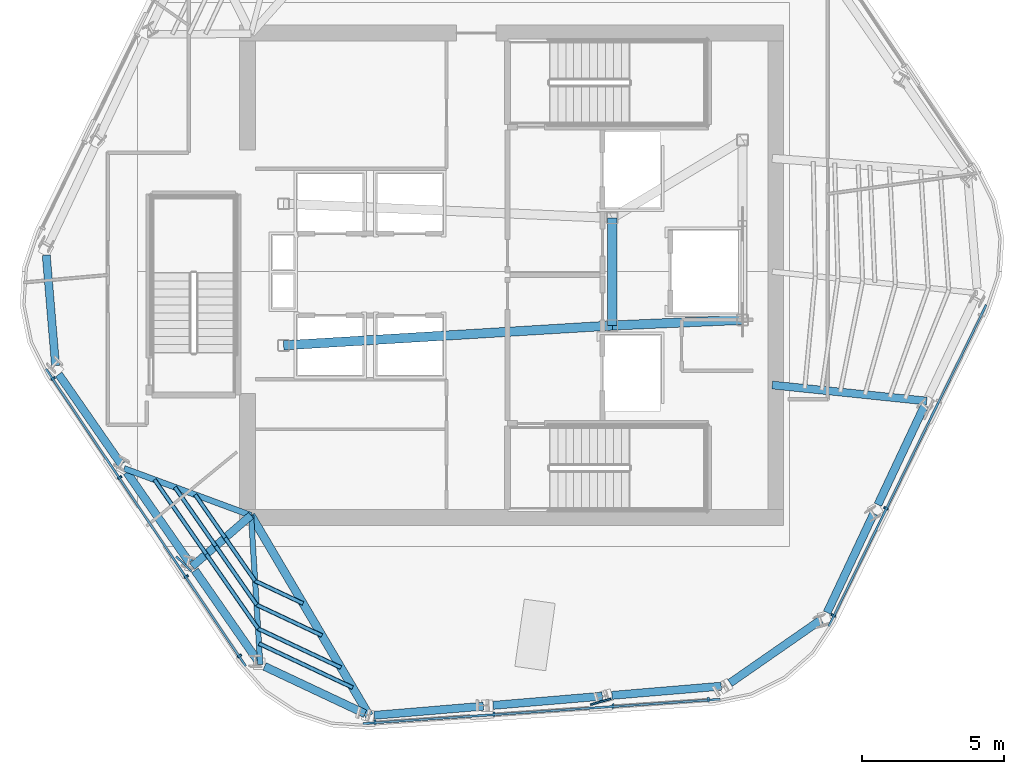
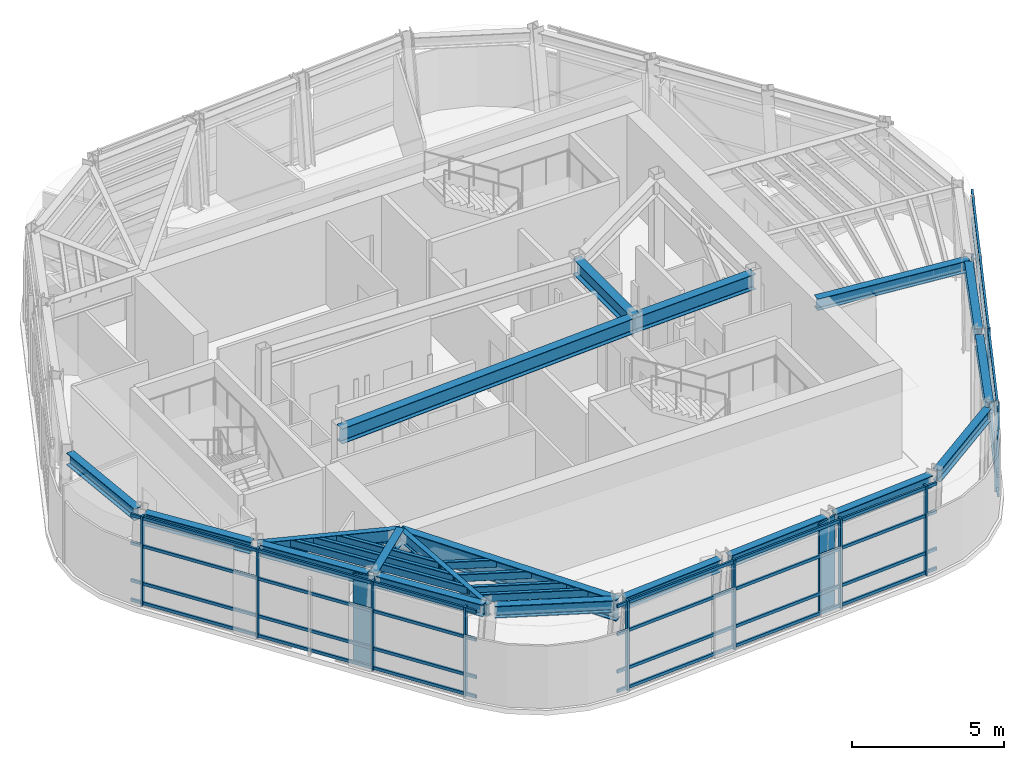
# One storey, part 2 of 14: 34 members, 19 beams, 3 elements without a shape of their own.
"""IFC4 building model written with IfcOpenShell, lengths in metres."""

from ifc_helpers import new_model, si_unit, direction, frame, origin, origin_2d, place, context, subcontext, project, spatial, rectangle, hollow_rectangle, i_section, extrude, material, layer, layer_set, material_profile, profile_set, type_object, element, aggregate, save


model = new_model("IFC4")

# Units and contexts
model_context = context("Model", 3, precision=1e-05, world=origin(), true_north=direction((0.0, 1.0)))
body_context = subcontext(model_context, "Body", "Model", "MODEL_VIEW")
ifc_project = project(units=[si_unit("LENGTHUNIT", "METRE"), si_unit("AREAUNIT", "SQUARE_METRE"), si_unit("VOLUMEUNIT", "CUBIC_METRE"), si_unit("PLANEANGLEUNIT", "RADIAN"), si_unit("MASSUNIT", "GRAM", prefix="KILO")], contexts=[model_context])

# Site, building, storey
site_placement = place(None, origin())
site = spatial("IfcSite", under=ifc_project, at=site_placement, CompositionType="ELEMENT")
building_placement = place(site_placement, origin())
building = spatial("IfcBuilding", under=site, at=building_placement, Name="Valkerne Bourse Tower", CompositionType="ELEMENT")
storey_placement = place(building_placement, frame((0.0, 0.0, 300.199951171875)))
storey = spatial("IfcBuildingStorey", under=building, at=storey_placement, Name="L76", CompositionType="ELEMENT", Elevation=300.199951171875)

# Beams
ifc_material_1 = material(Name="Steel ASTM A992", Category="steel")
ifc_material_profile_1 = material_profile(ifc_material_1, i_section(OverallWidth=0.284423828125, OverallDepth=0.47509765625, WebThickness=0.014892578125, FlangeThickness=0.02392578125, FilletRadius=0.017822265625, at=origin_2d()), Name="W18X106")
ifc_profile_set_1 = profile_set([ifc_material_profile_1], Name="Steel ASTM A992")
beam_type_1 = type_object("IfcBeamType", Name="BM-W18X106", PredefinedType="BEAM", material=ifc_profile_set_1)
beam_1_placement = place(storey_placement, frame((30.371826171875, 27.585205078125, 3.362548828125), z_axis=(0.08373690694, -0.996487897777, 0.0), x_axis=(0.996487897777, 0.08373690694, 0.0)))
element("IfcBeam", 1, at=beam_1_placement, inside=storey, type_object=beam_type_1, Name="L76 Hexagonal Spandrel Ring Beam 07", PredefinedType="BEAM", context=body_context, shape_type="SweptSolid", body=[
    extrude(i_section(OverallWidth=0.284423828125, OverallDepth=0.47509765625, WebThickness=0.014892578125, FlangeThickness=0.02392578125, FilletRadius=0.017822265625, at=origin_2d()), origin(), (0.0, 0.0, 1.0), 3.91552734375),
])
beam_2_placement = place(storey_placement, frame((30.810791015625, 23.374267578125, 3.362548828125), z_axis=(0.570704180479, -0.821155733332, 0.0), x_axis=(0.821155733332, 0.570704180479, 0.0)))
element("IfcBeam", 2, at=beam_2_placement, inside=storey, type_object=beam_type_1, Name="L76 Hexagonal Spandrel Ring Beam 08", PredefinedType="BEAM", context=body_context, shape_type="SweptSolid", body=[
    extrude(i_section(OverallWidth=0.284423828125, OverallDepth=0.47509765625, WebThickness=0.014892578125, FlangeThickness=0.02392578125, FilletRadius=0.017822265625, at=origin_2d()), origin(), (0.0, 0.0, 1.0), 3.871826171875),
])
for number, where, z_axis, x_axis, name in (
    (3, (33.214599609375, 19.91552734375, 3.362548828125), (0.570746695472, -0.821126183731, 0.0), (0.821126183731, 0.570746695472, 0.0), "L76 Hexagonal Spandrel Ring Beam 09"),
    (4, (35.618408203125, 16.456787109375, 3.362548828125), (0.570746695472, -0.821126183731, 0.0), (0.821126183731, 0.570746695472, 0.0), "L76 Hexagonal Spandrel Ring Beam 10"),
):
    element("IfcBeam", number, at=place(storey_placement, frame(where, z_axis=z_axis, x_axis=x_axis)), inside=storey, type_object=beam_type_1, Name=name, PredefinedType="BEAM", context=body_context, shape_type="SweptSolid", body=[
        extrude(i_section(OverallWidth=0.284423828125, OverallDepth=0.47509765625, WebThickness=0.014892578125, FlangeThickness=0.02392578125, FilletRadius=0.017822265625, at=origin_2d()), origin(), (0.0, 0.0, 1.0), 3.8720703125),
    ])
beam_3_placement = place(storey_placement, frame((38.0791015625, 13.0654296875, 3.362548828125), z_axis=(0.90483424406, -0.425764008316, 0.0), x_axis=(0.425764008316, 0.90483424406, 0.0)))
element("IfcBeam", 5, at=beam_3_placement, inside=storey, type_object=beam_type_1, Name="L76 Hexagonal Spandrel Ring Beam 11", PredefinedType="BEAM", context=body_context, shape_type="SweptSolid", body=[
    extrude(i_section(OverallWidth=0.284423828125, OverallDepth=0.47509765625, WebThickness=0.014892578125, FlangeThickness=0.02392578125, FilletRadius=0.017822265625, at=origin_2d()), origin(), (0.0, 0.0, 1.0), 3.915771484375),
])
for number, where, z_axis, x_axis, name in (
    (6, (41.9453125, 11.340087890625, 3.362548828125), (0.996493379522, 0.083671647344, 0.0), (-0.083671647344, 0.996493379522, 0.0), "L76 Hexagonal Spandrel Ring Beam 12"),
    (7, (46.142578125, 11.6923828125, 3.362548828125), (0.996488120314, 0.083734258655, 0.0), (-0.083734258655, 0.996488120314, 0.0), "L76 Hexagonal Spandrel Ring Beam 13"),
    (8, (50.33984375, 12.044921875, 3.362548828125), (0.996493379522, 0.083671647344, 0.0), (-0.083671647344, 0.996493379522, 0.0), "L76 Hexagonal Spandrel Ring Beam 14"),
):
    element("IfcBeam", number, at=place(storey_placement, frame(where, z_axis=z_axis, x_axis=x_axis)), inside=storey, type_object=beam_type_1, Name=name, PredefinedType="BEAM", context=body_context, shape_type="SweptSolid", body=[
        extrude(i_section(OverallWidth=0.284423828125, OverallDepth=0.47509765625, WebThickness=0.014892578125, FlangeThickness=0.02392578125, FilletRadius=0.017822265625, at=origin_2d()), origin(), (0.0, 0.0, 1.0), 3.8720703125),
    ])
beam_4_placement = place(storey_placement, frame((54.507080078125, 12.480224609375, 3.362548828125), z_axis=(0.821151647859, 0.570710058803, 0.0), x_axis=(-0.570710058803, 0.821151647859, 0.0)))
element("IfcBeam", 9, at=beam_4_placement, inside=storey, type_object=beam_type_1, Name="L76 Hexagonal Spandrel Ring Beam 15", PredefinedType="BEAM", context=body_context, shape_type="SweptSolid", body=[
    extrude(i_section(OverallWidth=0.284423828125, OverallDepth=0.47509765625, WebThickness=0.014892578125, FlangeThickness=0.02392578125, FilletRadius=0.017822265625, at=origin_2d()), origin(), (0.0, 0.0, 1.0), 3.916015625),
])
beam_5_placement = place(storey_placement, frame((57.9345703125, 14.9658203125, 3.362548828125), z_axis=(0.425748449303, 0.904841565091, 0.0), x_axis=(-0.904841565091, 0.425748449303, 0.0)))
element("IfcBeam", 10, at=beam_5_placement, inside=storey, type_object=beam_type_1, Name="L76 Hexagonal Spandrel Ring Beam 16", PredefinedType="BEAM", context=body_context, shape_type="SweptSolid", body=[
    extrude(i_section(OverallWidth=0.284423828125, OverallDepth=0.47509765625, WebThickness=0.014892578125, FlangeThickness=0.02392578125, FilletRadius=0.017822265625, at=origin_2d()), origin(), (0.0, 0.0, 1.0), 3.871826171875),
])
beam_6_placement = place(storey_placement, frame((59.727783203125, 18.77685546875, 3.362548828125), z_axis=(0.42577578144, 0.904828704197, 0.0), x_axis=(-0.904828704197, 0.42577578144, 0.0)))
element("IfcBeam", 11, at=beam_6_placement, inside=storey, type_object=beam_type_1, Name="L76 Hexagonal Spandrel Ring Beam 17", PredefinedType="BEAM", context=body_context, shape_type="SweptSolid", body=[
    extrude(i_section(OverallWidth=0.284423828125, OverallDepth=0.47509765625, WebThickness=0.014892578125, FlangeThickness=0.02392578125, FilletRadius=0.017822265625, at=origin_2d()), origin(), (0.0, 0.0, 1.0), 3.8720703125),
])
ifc_material_profile_2 = material_profile(ifc_material_1, i_section(OverallWidth=0.1904296875, OverallDepth=0.457275390625, WebThickness=0.009033203125, FlangeThickness=0.014404296875, FilletRadius=0.01513671875, at=origin_2d()), Name="W18X50")
ifc_profile_set_2 = profile_set([ifc_material_profile_2], Name="Steel ASTM A992")
beam_type_2 = type_object("IfcBeamType", Name="BM-W18X50", PredefinedType="JOIST", material=ifc_profile_set_2)
beam_7_placement = place(storey_placement, frame((37.92529296875, 13.1376953125, 3.371337890625), z_axis=(-0.061680606398, 0.998095938672, 0.0), x_axis=(-0.998095938672, -0.061680606398, 0.0)))
element("IfcBeam", 12, at=beam_7_placement, inside=storey, type_object=beam_type_2, Name="L76 Radial Composite Floor Beam 11", PredefinedType="JOIST", context=body_context, shape_type="SweptSolid", body=[
    extrude(i_section(OverallWidth=0.1904296875, OverallDepth=0.457275390625, WebThickness=0.009033203125, FlangeThickness=0.014404296875, FilletRadius=0.01513671875, at=origin_2d()), origin(), (0.0, 0.0, 1.0), 5.272216796875),
])
ifc_material_profile_3 = material_profile(ifc_material_1, i_section(OverallWidth=0.279296875, OverallDepth=0.46240234375, WebThickness=0.0107421875, FlangeThickness=0.017333984375, FilletRadius=0.017822265625, at=origin_2d()), Name="W18X76")
ifc_profile_set_3 = profile_set([ifc_material_profile_3], Name="Steel ASTM A992")
beam_type_3 = type_object("IfcBeamType", Name="BM-W18X76", PredefinedType="BEAM", material=ifc_profile_set_3)
beam_8_placement = place(storey_placement, frame((35.521484375, 16.596435546875, 3.368896484375), z_axis=(0.755328925316, 0.655345874009, 0.0), x_axis=(-0.655345874009, 0.755328925316, 0.0)))
element("IfcBeam", 13, at=beam_8_placement, inside=storey, type_object=beam_type_3, Name="L76 Radial Composite Floor Beam 10", PredefinedType="BEAM", context=body_context, shape_type="SweptSolid", body=[
    extrude(i_section(OverallWidth=0.279296875, OverallDepth=0.46240234375, WebThickness=0.0107421875, FlangeThickness=0.017333984375, FilletRadius=0.017822265625, at=origin_2d()), origin(), (0.0, 0.0, 1.0), 2.751953125),
])
beam_9_placement = place(storey_placement, frame((61.448974609375, 22.434326171875, 3.368896484375), z_axis=(-0.994654608767, 0.103257974305, 0.0), x_axis=(-0.103257974305, -0.994654608767, 0.0)))
element("IfcBeam", 14, at=beam_9_placement, inside=storey, type_object=beam_type_3, Name="L76 Radial Composite Floor Beam 18", PredefinedType="BEAM", context=body_context, shape_type="SweptSolid", body=[
    extrude(i_section(OverallWidth=0.279296875, OverallDepth=0.46240234375, WebThickness=0.0107421875, FlangeThickness=0.017333984375, FilletRadius=0.017822265625, at=origin_2d()), origin(), (0.0, 0.0, 1.0), 5.478271484375),
])
ifc_material_profile_4 = material_profile(ifc_material_1, i_section(OverallWidth=0.209228515625, OverallDepth=0.533447265625, WebThickness=0.01025390625, FlangeThickness=0.015625, FilletRadius=0.017822265625, at=origin_2d()), Name="W21X62")
ifc_profile_set_4 = profile_set([ifc_material_profile_4], Name="Steel ASTM A992")
beam_type_4 = type_object("IfcBeamType", Name="BM-W21X62", PredefinedType="JOIST", material=ifc_profile_set_4)
beam_10_placement = place(storey_placement, frame((33.11767578125, 20.05517578125, 3.333251953125), z_axis=(0.938081148291, -0.346415587441, 0.0), x_axis=(0.346415587441, 0.938081148291, 0.0)))
element("IfcBeam", 15, at=beam_10_placement, inside=storey, type_object=beam_type_4, Name="L76 Radial Composite Floor Beam 09", PredefinedType="JOIST", context=body_context, shape_type="SweptSolid", body=[
    extrude(i_section(OverallWidth=0.209228515625, OverallDepth=0.533447265625, WebThickness=0.01025390625, FlangeThickness=0.015625, FilletRadius=0.017822265625, at=origin_2d()), origin(), (0.0, 0.0, 1.0), 4.7783203125),
])
ifc_material_profile_5 = material_profile(ifc_material_1, i_section(OverallWidth=0.3251953125, OverallDepth=0.612060546875, WebThickness=0.0126953125, FlangeThickness=0.01904296875, FilletRadius=0.020263671875, at=origin_2d()), Name="W24X104")
ifc_profile_set_5 = profile_set([ifc_material_profile_5], Name="Steel ASTM A992")
beam_type_5 = type_object("IfcBeamType", Name="BM-W24X104", PredefinedType="BEAM", material=ifc_profile_set_5)
beam_11_placement = place(storey_placement, frame((50.35009765625, 25.10009765625, 3.2939453125), z_axis=(0.0, 1.0, 0.0), x_axis=(-1.0, 0.0, 0.0)))
element("IfcBeam", 16, at=beam_11_placement, inside=storey, type_object=beam_type_5, Name="L76 Core Frame Girder CG-CE", PredefinedType="BEAM", context=body_context, shape_type="SweptSolid", body=[
    extrude(i_section(OverallWidth=0.3251953125, OverallDepth=0.612060546875, WebThickness=0.0126953125, FlangeThickness=0.01904296875, FilletRadius=0.020263671875, at=origin_2d()), origin(), (0.0, 0.0, 1.0), 3.7998046875),
])
beam_12_placement = place(storey_placement, frame((50.35009765625, 25.10009765625, 3.2939453125), z_axis=(0.999056558506, 0.043428019819, 0.0), x_axis=(-0.043428019819, 0.999056558506, 0.0)))
element("IfcBeam", 17, at=beam_12_placement, inside=storey, type_object=beam_type_5, Name="L76 Core Frame Girder CG-SE", PredefinedType="BEAM", context=body_context, shape_type="SweptSolid", body=[
    extrude(i_section(OverallWidth=0.3251953125, OverallDepth=0.612060546875, WebThickness=0.0126953125, FlangeThickness=0.01904296875, FilletRadius=0.020263671875, at=origin_2d()), origin(), (0.0, 0.0, 1.0), 4.604248046875),
])
beam_13_placement = place(storey_placement, frame((38.75, 24.39990234375, 3.2939453125), z_axis=(0.998183228389, 0.060251494276, 0.0), x_axis=(-0.060251494276, 0.998183228389, 0.0)))
element("IfcBeam", 18, at=beam_13_placement, inside=storey, type_object=beam_type_5, Name="L76 Core Frame Girder CG-SW", PredefinedType="BEAM", context=body_context, shape_type="SweptSolid", body=[
    extrude(i_section(OverallWidth=0.3251953125, OverallDepth=0.612060546875, WebThickness=0.0126953125, FlangeThickness=0.01904296875, FilletRadius=0.020263671875, at=origin_2d()), origin(), (0.0, 0.0, 1.0), 11.62109375),
])
ifc_material_profile_6 = material_profile(ifc_material_1, i_section(OverallWidth=0.2919921875, OverallDepth=0.8583984375, WebThickness=0.01708984375, FlangeThickness=0.031005859375, FilletRadius=0.025390625, at=origin_2d()), Name="W33X169")
ifc_profile_set_6 = profile_set([ifc_material_profile_6], Name="Steel ASTM A992")
beam_type_6 = type_object("IfcBeamType", Name="BM-W33X169", PredefinedType="BEAM", material=ifc_profile_set_6)
beam_14_placement = place(storey_placement, frame((41.77587890625, 11.325927734375, 3.170654296875), z_axis=(-0.508341754479, 0.861155421891, 0.0), x_axis=(-0.861155421891, -0.508341754479, 0.0)))
element("IfcBeam", 19, at=beam_14_placement, inside=storey, type_object=beam_type_6, Name="L76 Radial Composite Floor Beam 12", PredefinedType="BEAM", context=body_context, shape_type="SweptSolid", body=[
    extrude(i_section(OverallWidth=0.2919921875, OverallDepth=0.8583984375, WebThickness=0.01708984375, FlangeThickness=0.031005859375, FilletRadius=0.025390625, at=origin_2d()), origin(), (0.0, 0.0, 1.0), 8.214599609375),
])

# Curtain wall, members
ifc_material_2 = material(Name="Aluminium AA 6063-T6", Category="aluminium")
ifc_layer = layer(ifc_material_2, 0.2451171875)
ifc_layer_set = layer_set([ifc_layer], Name="Aluminium AA 6063-T6")
curtain_wall_type = type_object("IfcCurtainWallType", Name="CW-05", PredefinedType="NOTDEFINED", material=ifc_layer_set)
curtain_wall_1_placement = place(storey_placement, origin())
curtain_wall_1 = element("IfcCurtainWall", 20, at=curtain_wall_1_placement, inside=storey, type_object=curtain_wall_type, Name="L76 Hexagonal Stick Curtain Wall Face 3", PredefinedType="NOTDEFINED")
ifc_material_profile_7 = material_profile(ifc_material_2, rectangle(XDim=0.074951171875, YDim=0.159912109375, at=origin_2d()), Name="CWM-75X160")
ifc_profile_set_7 = profile_set([ifc_material_profile_7], Name="Aluminium AA 6063-T6")
member_type_1 = type_object("IfcMemberType", Name="CW-MUL-160X75", PredefinedType="MULLION", material=ifc_profile_set_7)
member_1_placement = place(storey_placement, frame((30.613037109375, 23.228759765625, 0.0), z_axis=(0.0, 0.0, 1.0), x_axis=(0.557742736213, -0.830013879523, 0.0)))
member_1 = element("IfcMember", 21, at=member_1_placement, type_object=member_type_1, Name="CW-L76-F3 Jamb Mullion 00A", PredefinedType="MULLION", context=body_context, shape_type="SweptSolid", body=[
    extrude(rectangle(XDim=0.074951171875, YDim=0.159912109375, at=origin_2d()), origin(), (0.0, 0.0, 1.0), 3.60009765625),
])
member_2_placement = place(storey_placement, frame((32.96240234375, 19.73291015625, 0.0), z_axis=(0.0, 0.0, 1.0), x_axis=(0.557759092161, -0.830002888617, 0.0)))
member_2 = element("IfcMember", 22, at=member_2_placement, type_object=member_type_1, Name="CW-L76-F3 Jamb Mullion 01A", PredefinedType="MULLION", context=body_context, shape_type="SweptSolid", body=[
    extrude(rectangle(XDim=0.074951171875, YDim=0.159912109375, at=origin_2d()), origin(), (0.0, 0.0, 1.0), 3.60009765625),
])
member_3_placement = place(storey_placement, frame((35.3115234375, 16.23681640625, 0.0), z_axis=(0.0, 0.0, 1.0), x_axis=(0.557742736213, -0.830013879523, 0.0)))
member_3 = element("IfcMember", 23, at=member_3_placement, type_object=member_type_1, Name="CW-L76-F3 Jamb Mullion 02A", PredefinedType="MULLION", context=body_context, shape_type="SweptSolid", body=[
    extrude(rectangle(XDim=0.074951171875, YDim=0.159912109375, at=origin_2d()), origin(), (0.0, 0.0, 1.0), 3.60009765625),
])
member_4_placement = place(storey_placement, frame((37.192138671875, 13.43798828125, 0.0), z_axis=(0.0, 0.0, 1.0), x_axis=(0.557742736213, -0.830013879523, 0.0)))
member_4 = element("IfcMember", 24, at=member_4_placement, type_object=member_type_1, Name="CW-L76-F3 Jamb Mullion 02B", PredefinedType="MULLION", context=body_context, shape_type="SweptSolid", body=[
    extrude(rectangle(XDim=0.074951171875, YDim=0.159912109375, at=origin_2d()), origin(), (0.0, 0.0, 1.0), 3.60009765625),
])

curtain_wall_2_placement = place(storey_placement, origin())
curtain_wall_2 = element("IfcCurtainWall", 25, at=curtain_wall_2_placement, inside=storey, type_object=curtain_wall_type, Name="L76 Hexagonal Stick Curtain Wall Face 4", PredefinedType="NOTDEFINED")
member_5_placement = place(storey_placement, frame((41.97265625, 11.09619140625, 0.0), z_axis=(0.0, 0.0, 1.0), x_axis=(0.997683912396, 0.068020665584, 0.0)))
member_5 = element("IfcMember", 26, at=member_5_placement, type_object=member_type_1, Name="CW-L76-F4 Jamb Mullion 00A", PredefinedType="MULLION", context=body_context, shape_type="SweptSolid", body=[
    extrude(rectangle(XDim=0.074951171875, YDim=0.159912109375, at=origin_2d()), origin(), (0.0, 0.0, 1.0), 3.60009765625),
])
member_6_placement = place(storey_placement, frame((46.1748046875, 11.382568359375, 0.0), z_axis=(0.0, 0.0, 1.0), x_axis=(0.997684022241, 0.068019054423, 0.0)))
member_6 = element("IfcMember", 27, at=member_6_placement, type_object=member_type_1, Name="CW-L76-F4 Jamb Mullion 01A", PredefinedType="MULLION", context=body_context, shape_type="SweptSolid", body=[
    extrude(rectangle(XDim=0.074951171875, YDim=0.159912109375, at=origin_2d()), origin(), (0.0, 0.0, 1.0), 3.60009765625),
])
member_7_placement = place(storey_placement, frame((50.377197265625, 11.669189453125, 0.0), z_axis=(0.0, 0.0, 1.0), x_axis=(0.997683912396, 0.068020665584, 0.0)))
member_7 = element("IfcMember", 28, at=member_7_placement, type_object=member_type_1, Name="CW-L76-F4 Jamb Mullion 02A", PredefinedType="MULLION", context=body_context, shape_type="SweptSolid", body=[
    extrude(rectangle(XDim=0.074951171875, YDim=0.159912109375, at=origin_2d()), origin(), (0.0, 0.0, 1.0), 3.60009765625),
])
member_8_placement = place(storey_placement, frame((53.7412109375, 11.8984375, 0.0), z_axis=(0.0, 0.0, 1.0), x_axis=(0.997683912396, 0.068020665584, 0.0)))
member_8 = element("IfcMember", 29, at=member_8_placement, type_object=member_type_1, Name="CW-L76-F4 Jamb Mullion 02B", PredefinedType="MULLION", context=body_context, shape_type="SweptSolid", body=[
    extrude(rectangle(XDim=0.074951171875, YDim=0.159912109375, at=origin_2d()), origin(), (0.0, 0.0, 1.0), 3.60009765625),
])

curtain_wall_3_placement = place(storey_placement, origin())
curtain_wall_3 = element("IfcCurtainWall", 30, at=curtain_wall_3_placement, inside=storey, type_object=curtain_wall_type, Name="L76 Hexagonal Stick Curtain Wall Face 5", PredefinedType="NOTDEFINED")
member_9_placement = place(storey_placement, frame((58.159423828125, 14.8671875, 0.0), z_axis=(0.0, 0.0, 1.0), x_axis=(0.439933879731, 0.898030167347, 0.0)))
member_9 = element("IfcMember", 31, at=member_9_placement, type_object=member_type_1, Name="CW-L76-F5 Jamb Mullion 00A", PredefinedType="MULLION", context=body_context, shape_type="SweptSolid", body=[
    extrude(rectangle(XDim=0.074951171875, YDim=0.159912109375, at=origin_2d()), origin(), (0.0, 0.0, 1.0), 3.60009765625),
])
member_10_placement = place(storey_placement, frame((60.012451171875, 18.64990234375, 0.0), z_axis=(0.0, 0.0, 1.0), x_axis=(0.439933879731, 0.898030167347, 0.0)))
member_10 = element("IfcMember", 32, at=member_10_placement, type_object=member_type_1, Name="CW-L76-F5 Jamb Mullion 01A", PredefinedType="MULLION", context=body_context, shape_type="SweptSolid", body=[
    extrude(rectangle(XDim=0.074951171875, YDim=0.159912109375, at=origin_2d()), origin(), (0.0, 0.0, 1.0), 3.60009765625),
])

# Member
ifc_material_profile_8 = material_profile(ifc_material_2, rectangle(XDim=0.074951171875, YDim=0.1201171875, at=origin_2d()), Name="CWT-75X120")
ifc_profile_set_8 = profile_set([ifc_material_profile_8], Name="Aluminium AA 6063-T6")
member_type_2 = type_object("IfcMemberType", Name="CW-TRN-120X75", PredefinedType="USERDEFINED", material=ifc_profile_set_8)
member_11_placement = place(storey_placement, frame((30.3623046875, 23.566162109375, 0.1201171875), z_axis=(0.557741781307, -0.830014521189, 0.0), x_axis=(0.830014521189, 0.557741781307, 0.0)))
member_11 = element("IfcMember", 33, at=member_11_placement, type_object=member_type_2, Name="CW-L76-F3 Continuous Face Transom 1", ObjectType="TRANSOM", PredefinedType="USERDEFINED", context=body_context, shape_type="SweptSolid", body=[
    extrude(rectangle(XDim=0.074951171875, YDim=0.1201171875, at=origin_2d()), origin(), (0.0, 0.0, 1.0), 12.635986328125),
])

member_12_placement = place(storey_placement, frame((30.3623046875, 23.566162109375, 0.900146484375), z_axis=(0.557741781307, -0.830014521189, 0.0), x_axis=(0.830014521189, 0.557741781307, 0.0)))
member_12 = element("IfcMember", 34, at=member_12_placement, type_object=member_type_2, Name="CW-L76-F3 Continuous Face Transom 2", ObjectType="TRANSOM", PredefinedType="USERDEFINED", context=body_context, shape_type="SweptSolid", body=[
    extrude(rectangle(XDim=0.074951171875, YDim=0.1201171875, at=origin_2d()), origin(), (0.0, 0.0, 1.0), 12.635986328125),
])

member_13_placement = place(storey_placement, frame((30.3623046875, 23.566162109375, 2.400146484375), z_axis=(0.557741781307, -0.830014521189, 0.0), x_axis=(0.830014521189, 0.557741781307, 0.0)))
member_13 = element("IfcMember", 35, at=member_13_placement, type_object=member_type_2, Name="CW-L76-F3 Continuous Face Transom 3", ObjectType="TRANSOM", PredefinedType="USERDEFINED", context=body_context, shape_type="SweptSolid", body=[
    extrude(rectangle(XDim=0.074951171875, YDim=0.1201171875, at=origin_2d()), origin(), (0.0, 0.0, 1.0), 12.635986328125),
])

member_14_placement = place(storey_placement, frame((30.3623046875, 23.566162109375, 3.52001953125), z_axis=(0.557741781307, -0.830014521189, 0.0), x_axis=(0.830014521189, 0.557741781307, 0.0)))
member_14 = element("IfcMember", 36, at=member_14_placement, type_object=member_type_2, Name="CW-L76-F3 Continuous Face Transom 4", ObjectType="TRANSOM", PredefinedType="USERDEFINED", context=body_context, shape_type="SweptSolid", body=[
    extrude(rectangle(XDim=0.074951171875, YDim=0.1201171875, at=origin_2d()), origin(), (0.0, 0.0, 1.0), 12.635986328125),
])

aggregate(curtain_wall_1, [member_11, member_12, member_13, member_14, member_1, member_2, member_3, member_4])

member_15_placement = place(storey_placement, frame((41.554931640625, 11.047607421875, 0.1201171875), z_axis=(0.997684616427, 0.068010338514, 0.0), x_axis=(-0.068010338514, 0.997684616427, 0.0)))
member_15 = element("IfcMember", 37, at=member_15_placement, type_object=member_type_2, Name="CW-L76-F4 Continuous Face Transom 1", ObjectType="TRANSOM", PredefinedType="USERDEFINED", context=body_context, shape_type="SweptSolid", body=[
    extrude(rectangle(XDim=0.074951171875, YDim=0.1201171875, at=origin_2d()), origin(), (0.0, 0.0, 1.0), 12.635986328125),
])

member_16_placement = place(storey_placement, frame((41.554931640625, 11.047607421875, 0.900146484375), z_axis=(0.997684616427, 0.068010338514, 0.0), x_axis=(-0.068010338514, 0.997684616427, 0.0)))
member_16 = element("IfcMember", 38, at=member_16_placement, type_object=member_type_2, Name="CW-L76-F4 Continuous Face Transom 2", ObjectType="TRANSOM", PredefinedType="USERDEFINED", context=body_context, shape_type="SweptSolid", body=[
    extrude(rectangle(XDim=0.074951171875, YDim=0.1201171875, at=origin_2d()), origin(), (0.0, 0.0, 1.0), 12.635986328125),
])

member_17_placement = place(storey_placement, frame((41.554931640625, 11.047607421875, 2.400146484375), z_axis=(0.997684616427, 0.068010338514, 0.0), x_axis=(-0.068010338514, 0.997684616427, 0.0)))
member_17 = element("IfcMember", 39, at=member_17_placement, type_object=member_type_2, Name="CW-L76-F4 Continuous Face Transom 3", ObjectType="TRANSOM", PredefinedType="USERDEFINED", context=body_context, shape_type="SweptSolid", body=[
    extrude(rectangle(XDim=0.074951171875, YDim=0.1201171875, at=origin_2d()), origin(), (0.0, 0.0, 1.0), 12.635986328125),
])

member_18_placement = place(storey_placement, frame((41.554931640625, 11.047607421875, 3.52001953125), z_axis=(0.997684616427, 0.068010338514, 0.0), x_axis=(-0.068010338514, 0.997684616427, 0.0)))
member_18 = element("IfcMember", 40, at=member_18_placement, type_object=member_type_2, Name="CW-L76-F4 Continuous Face Transom 4", ObjectType="TRANSOM", PredefinedType="USERDEFINED", context=body_context, shape_type="SweptSolid", body=[
    extrude(rectangle(XDim=0.074951171875, YDim=0.1201171875, at=origin_2d()), origin(), (0.0, 0.0, 1.0), 12.635986328125),
])

aggregate(curtain_wall_2, [member_15, member_16, member_17, member_18, member_5, member_6, member_7, member_8])

member_19_placement = place(storey_placement, frame((57.99267578125, 14.481201171875, 0.1201171875), z_axis=(0.439934229877, 0.898029995814, 0.0), x_axis=(-0.898029995814, 0.439934229877, 0.0)))
member_19 = element("IfcMember", 41, at=member_19_placement, type_object=member_type_2, Name="CW-L76-F5 Continuous Face Transom 1", ObjectType="TRANSOM", PredefinedType="USERDEFINED", context=body_context, shape_type="SweptSolid", body=[
    extrude(rectangle(XDim=0.074951171875, YDim=0.1201171875, at=origin_2d()), origin(), (0.0, 0.0, 1.0), 12.63623046875),
])

member_20_placement = place(storey_placement, frame((57.99267578125, 14.481201171875, 0.900146484375), z_axis=(0.439934229877, 0.898029995814, 0.0), x_axis=(-0.898029995814, 0.439934229877, 0.0)))
member_20 = element("IfcMember", 42, at=member_20_placement, type_object=member_type_2, Name="CW-L76-F5 Continuous Face Transom 2", ObjectType="TRANSOM", PredefinedType="USERDEFINED", context=body_context, shape_type="SweptSolid", body=[
    extrude(rectangle(XDim=0.074951171875, YDim=0.1201171875, at=origin_2d()), origin(), (0.0, 0.0, 1.0), 12.63623046875),
])

member_21_placement = place(storey_placement, frame((57.99267578125, 14.481201171875, 2.400146484375), z_axis=(0.439934229877, 0.898029995814, 0.0), x_axis=(-0.898029995814, 0.439934229877, 0.0)))
member_21 = element("IfcMember", 43, at=member_21_placement, type_object=member_type_2, Name="CW-L76-F5 Continuous Face Transom 3", ObjectType="TRANSOM", PredefinedType="USERDEFINED", context=body_context, shape_type="SweptSolid", body=[
    extrude(rectangle(XDim=0.074951171875, YDim=0.1201171875, at=origin_2d()), origin(), (0.0, 0.0, 1.0), 12.63623046875),
])

member_22_placement = place(storey_placement, frame((57.99267578125, 14.481201171875, 3.52001953125), z_axis=(0.439934229877, 0.898029995814, 0.0), x_axis=(-0.898029995814, 0.439934229877, 0.0)))
member_22 = element("IfcMember", 44, at=member_22_placement, type_object=member_type_2, Name="CW-L76-F5 Continuous Face Transom 4", ObjectType="TRANSOM", PredefinedType="USERDEFINED", context=body_context, shape_type="SweptSolid", body=[
    extrude(rectangle(XDim=0.074951171875, YDim=0.1201171875, at=origin_2d()), origin(), (0.0, 0.0, 1.0), 12.63623046875),
])

aggregate(curtain_wall_3, [member_19, member_20, member_21, member_22, member_9, member_10])

# Members
ifc_material_3 = material(Name="Bronze Anodised Aluminium AA 6063-T6", Category="aluminium")
ifc_material_profile_9 = material_profile(ifc_material_3, rectangle(XDim=0.06494140625, YDim=0.75, at=origin_2d()), Name="FIN-65X750")
ifc_profile_set_9 = profile_set([ifc_material_profile_9], Name="Bronze Anodised Aluminium AA 6063-T6")
member_type_3 = type_object("IfcMemberType", Name="FIN-SOLAR-650", PredefinedType="USERDEFINED", material=ifc_profile_set_9)
for number, where, z_axis, x_axis, name in (
    (45, (35.226806640625, 16.685791015625, 0.004150390625), (0.0, 0.0, 1.0), (-0.697671409819, -0.716417897544, 0.0), "L76 Bronze Anodised Solar Fin F3-02"),
    (46, (49.94580078125, 11.820068359375, 0.004150390625), (0.0, 0.0, 1.0), (0.280214249555, -0.959937484603, 0.0), "L76 Bronze Anodised Solar Fin F4-02"),
):
    element("IfcMember", number, at=place(storey_placement, frame(where, z_axis=z_axis, x_axis=x_axis)), inside=storey, type_object=member_type_3, Name=name, ObjectType="SOLAR_FIN", PredefinedType="USERDEFINED", context=body_context, shape_type="SweptSolid", body=[
        extrude(rectangle(XDim=0.06494140625, YDim=0.75, at=origin_2d()), origin(), (0.0, 0.0, 1.0), 3.591796875),
    ])
ifc_material_4 = material(Name="Steel ASTM A500 Grade C", Category="steel")
ifc_material_profile_10 = material_profile(ifc_material_4, hollow_rectangle(XDim=0.14990234375, YDim=0.300048828125, WallThickness=0.012451171875, OuterFilletRadius=0.02490234375, at=origin_2d()), Name="HSS300X150X12.5")
ifc_profile_set_10 = profile_set([ifc_material_profile_10], Name="Steel ASTM A500 Grade C")
member_type_4 = type_object("IfcMemberType", Name="MBR-HSS300X150X12.5", PredefinedType="PURLIN", material=ifc_profile_set_10)
member_23_placement = place(storey_placement, frame((35.627685546875, 19.12841796875, 3.43994140625), z_axis=(0.570736404728, -0.821133336504, 0.0), x_axis=(0.821133336504, 0.570736404728, 0.0)))
element("IfcMember", 47, at=member_23_placement, inside=storey, type_object=member_type_4, Name="L76 Secondary Composite Floor Purlin K-09", PredefinedType="PURLIN", context=body_context, shape_type="SweptSolid", body=[
    extrude(hollow_rectangle(XDim=0.14990234375, YDim=0.300048828125, WallThickness=0.012451171875, OuterFilletRadius=0.02490234375, at=origin_2d()), origin(), (0.0, 0.0, 1.0), 1.853515625),
])
member_24_placement = place(storey_placement, frame((36.685546875, 17.6064453125, 3.43994140625), z_axis=(0.5707093169, -0.82115216349, 0.0), x_axis=(0.82115216349, 0.5707093169, 0.0)))
element("IfcMember", 48, at=member_24_placement, inside=storey, type_object=member_type_4, Name="L76 Secondary Composite Floor Purlin K-10", PredefinedType="PURLIN", context=body_context, shape_type="SweptSolid", body=[
    extrude(hollow_rectangle(XDim=0.14990234375, YDim=0.300048828125, WallThickness=0.012451171875, OuterFilletRadius=0.02490234375, at=origin_2d()), origin(), (0.0, 0.0, 1.0), 1.853271484375),
])
member_25_placement = place(storey_placement, frame((37.7431640625, 16.084716796875, 3.43994140625), z_axis=(0.904812792698, -0.425809593797, 0.0), x_axis=(0.425809593797, 0.904812792698, 0.0)))
element("IfcMember", 49, at=member_25_placement, inside=storey, type_object=member_type_4, Name="L76 Secondary Composite Floor Purlin K-11", PredefinedType="PURLIN", context=body_context, shape_type="SweptSolid", body=[
    extrude(hollow_rectangle(XDim=0.14990234375, YDim=0.300048828125, WallThickness=0.012451171875, OuterFilletRadius=0.02490234375, at=origin_2d()), origin(), (0.0, 0.0, 1.0), 1.87255859375),
])
for number, where, z_axis, x_axis, name in (
    (50, (34.193359375, 19.657958984375, 3.43994140625), (0.570700200017, -0.821158499743, 0.0), (0.821158499743, 0.570700200017, 0.0), "L76 Secondary Composite Floor Purlin O-09"),
    (51, (36.020263671875, 17.029296875, 3.43994140625), (0.570700200017, -0.821158499743, 0.0), (0.821158499743, 0.570700200017, 0.0), "L76 Secondary Composite Floor Purlin O-10"),
):
    element("IfcMember", number, at=place(storey_placement, frame(where, z_axis=z_axis, x_axis=x_axis)), inside=storey, type_object=member_type_4, Name=name, PredefinedType="PURLIN", context=body_context, shape_type="SweptSolid", body=[
        extrude(hollow_rectangle(XDim=0.14990234375, YDim=0.300048828125, WallThickness=0.012451171875, OuterFilletRadius=0.02490234375, at=origin_2d()), origin(), (0.0, 0.0, 1.0), 3.201171875),
    ])
member_26_placement = place(storey_placement, frame((37.84716796875, 14.400634765625, 3.43994140625), z_axis=(0.904846071886, -0.425738870897, 0.0), x_axis=(0.425738870897, 0.904846071886, 0.0)))
element("IfcMember", 52, at=member_26_placement, inside=storey, type_object=member_type_4, Name="L76 Secondary Composite Floor Purlin O-11", PredefinedType="PURLIN", context=body_context, shape_type="SweptSolid", body=[
    extrude(hollow_rectangle(XDim=0.14990234375, YDim=0.300048828125, WallThickness=0.012451171875, OuterFilletRadius=0.02490234375, at=origin_2d()), origin(), (0.0, 0.0, 1.0), 3.234375),
])
member_27_placement = place(storey_placement, frame((34.91064453125, 19.39306640625, 3.43994140625), z_axis=(0.570670970577, -0.821178813256, 0.0), x_axis=(0.821178813256, 0.570670970577, 0.0)))
element("IfcMember", 53, at=member_27_placement, inside=storey, type_object=member_type_4, Name="L76 Secondary Composite Floor Purlin Z-09", PredefinedType="PURLIN", context=body_context, shape_type="SweptSolid", body=[
    extrude(hollow_rectangle(XDim=0.14990234375, YDim=0.300048828125, WallThickness=0.012451171875, OuterFilletRadius=0.02490234375, at=origin_2d()), origin(), (0.0, 0.0, 1.0), 2.527099609375),
])
member_28_placement = place(storey_placement, frame((36.352783203125, 17.31787109375, 3.43994140625), z_axis=(0.570736112169, -0.82113353985, 0.0), x_axis=(0.82113353985, 0.570736112169, 0.0)))
element("IfcMember", 54, at=member_28_placement, inside=storey, type_object=member_type_4, Name="L76 Secondary Composite Floor Purlin Z-10", PredefinedType="PURLIN", context=body_context, shape_type="SweptSolid", body=[
    extrude(hollow_rectangle(XDim=0.14990234375, YDim=0.300048828125, WallThickness=0.012451171875, OuterFilletRadius=0.02490234375, at=origin_2d()), origin(), (0.0, 0.0, 1.0), 2.52734375),
])
member_29_placement = place(storey_placement, frame((37.795166015625, 15.24267578125, 3.43994140625), z_axis=(0.904842535294, -0.425746387327, 0.0), x_axis=(0.425746387327, 0.904842535294, 0.0)))
element("IfcMember", 55, at=member_29_placement, inside=storey, type_object=member_type_4, Name="L76 Secondary Composite Floor Purlin Z-11", PredefinedType="PURLIN", context=body_context, shape_type="SweptSolid", body=[
    extrude(hollow_rectangle(XDim=0.14990234375, YDim=0.300048828125, WallThickness=0.012451171875, OuterFilletRadius=0.02490234375, at=origin_2d()), origin(), (0.0, 0.0, 1.0), 2.553466796875),
])
member_30_placement = place(storey_placement, frame((37.8798828125, 13.87451171875, 3.43994140625), z_axis=(0.904845913241, -0.425739208073, 0.0), x_axis=(0.425739208073, 0.904845913241, 0.0)))
element("IfcMember", 56, at=member_30_placement, inside=storey, type_object=member_type_4, Name="L76 Secondary Composite Floor Purlin T-11", PredefinedType="PURLIN", context=body_context, shape_type="SweptSolid", body=[
    extrude(hollow_rectangle(XDim=0.14990234375, YDim=0.300048828125, WallThickness=0.012451171875, OuterFilletRadius=0.02490234375, at=origin_2d()), origin(), (0.0, 0.0, 1.0), 3.65966796875),
])

save(model, "model.ifc")
